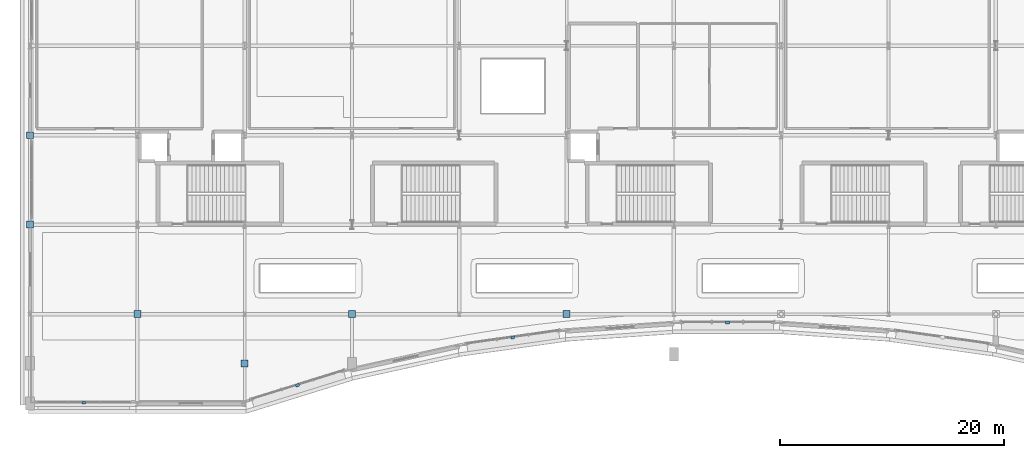
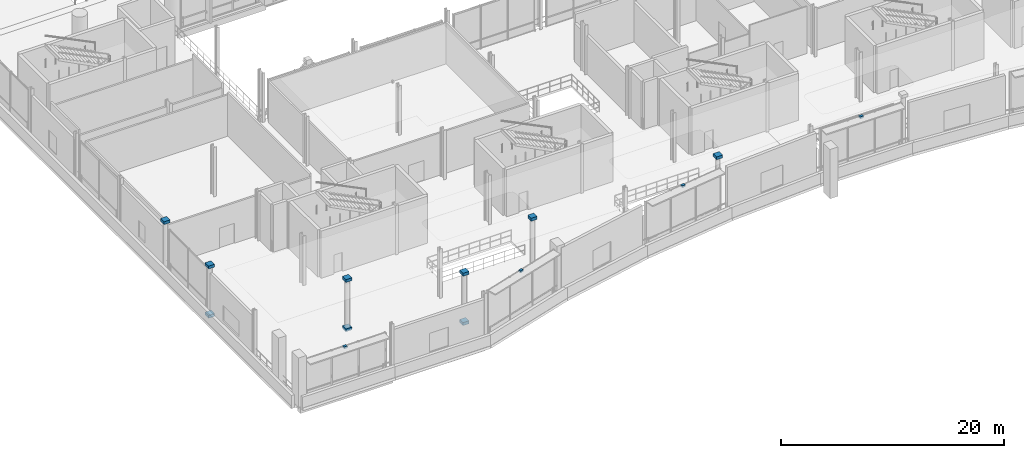
# One storey, part 89 of 129: 13 discrete accessories.
"""IFC4 building model written with IfcOpenShell, lengths in metres."""

from ifc_helpers import new_model, si_unit, direction, frame, origin, origin_2d, place, context, subcontext, project, spatial, rectangle, extrude, material, type_object, element, save


model = new_model("IFC4")

# Units and contexts
model_context = context("Model", 3, precision=1e-05, world=origin(), true_north=direction((0.0, 1.0)))
body_context = subcontext(model_context, "Body", "Model", "MODEL_VIEW")
ifc_project = project(units=[si_unit("LENGTHUNIT", "METRE"), si_unit("AREAUNIT", "SQUARE_METRE"), si_unit("VOLUMEUNIT", "CUBIC_METRE"), si_unit("PLANEANGLEUNIT", "RADIAN"), si_unit("MASSUNIT", "GRAM", prefix="KILO")], contexts=[model_context])

# Site, building, storey
site_placement = place(None, origin())
site = spatial("IfcSite", under=ifc_project, at=site_placement, CompositionType="ELEMENT")
building_placement = place(site_placement, origin())
building = spatial("IfcBuilding", under=site, at=building_placement, Name="Danafjord Basin Convention Centre", CompositionType="ELEMENT")
storey_placement = place(building_placement, frame((0.0, 0.0, 6.0)))
storey = spatial("IfcBuildingStorey", under=building, at=storey_placement, Name="L01", CompositionType="ELEMENT", Elevation=6.0)

# Discrete accessories
ifc_material_1 = material(Name="Stainless steel EN 1.4404", Category="steel")
discrete_accessory_type_1 = type_object("IfcDiscreteAccessoryType", Name="ACC-FIN-BRK", PredefinedType="BRACKET", material=ifc_material_1)
for number, where, z_axis, x_axis, name in (
    (1, (4.800048828125, 0.070068359375, 4.31005859375), (0.0, 0.0, 1.0), (1.0, 0.0, 0.0), "Sunshade tie-back bracket"),
    (2, (23.927978515625, 1.63720703125, 4.97998046875), (0.0, 0.0, 1.0), (0.955044712757, 0.296461796249, 0.0), "Sunshade tie-back bracket"),
    (3, (43.1806640625, 5.90966796875, 4.97998046875), (0.0, 0.0, 1.0), (0.990128157327, 0.140165017276, 0.0), "Sunshade tie-back bracket"),
    (4, (62.39990234375, 7.25, 4.97998046875), (0.0, 0.0, 1.0), (1.0, 0.0, 0.0), "Sunshade tie-back bracket"),
):
    element("IfcDiscreteAccessory", number, at=place(storey_placement, frame(where, z_axis=z_axis, x_axis=x_axis)), inside=storey, type_object=discrete_accessory_type_1, Name=name, PredefinedType="BRACKET", context=body_context, shape_type="SweptSolid", body=[
        extrude(rectangle(XDim=0.340087890625, YDim=0.260009765625, at=origin_2d()), origin(), (0.0, 0.0, 1.0), 0.219970703125),
    ])
ifc_material_2 = material(Name="Steel S355", Category="steel")
discrete_accessory_type_2 = type_object("IfcDiscreteAccessoryType", Name="ACC-SF-HUB", PredefinedType="BRACKET", material=ifc_material_2)
for number, where, z_axis, x_axis, name in (
    (5, (0.0, 16.0, -0.16015625), (0.0, 0.0, 1.0), (1.0, 0.0, 0.0), "Tubular steel column transition collar"),
    (6, (0.0, 16.0, 5.23974609375), (0.0, 0.0, 1.0), (1.0, 0.0, 0.0), "Tubular steel column top cap plate"),
    (7, (0.0, 24.0, 5.23974609375), (0.0, 0.0, 1.0), (1.0, 0.0, 0.0), "Tubular steel column top cap plate"),
    (8, (9.60009765625, 8.0, -0.16015625), (0.0, 0.0, 1.0), (1.0, 0.0, 0.0), "Tubular steel column transition collar"),
    (9, (9.60009765625, 8.0, 5.23974609375), (0.0, 0.0, 1.0), (1.0, 0.0, 0.0), "Tubular steel column top cap plate"),
    (10, (28.800048828125, 8.0, 5.23974609375), (0.0, 0.0, 1.0), (1.0, 0.0, 0.0), "Tubular steel column top cap plate"),
    (11, (48.0, 8.0, 5.23974609375), (0.0, 0.0, 1.0), (1.0, 0.0, 0.0), "Tubular steel column top cap plate"),
    (12, (19.199951171875, 3.60009765625, -0.16015625), (0.0, 0.0, 1.0), (1.0, 0.0, 0.0), "Tubular steel column transition collar"),
    (13, (19.199951171875, 3.60009765625, 5.23974609375), (0.0, 0.0, 1.0), (1.0, 0.0, 0.0), "Tubular steel column top cap plate"),
):
    element("IfcDiscreteAccessory", number, at=place(storey_placement, frame(where, z_axis=z_axis, x_axis=x_axis)), inside=storey, type_object=discrete_accessory_type_2, Name=name, PredefinedType="BRACKET", context=body_context, shape_type="SweptSolid", body=[
        extrude(rectangle(XDim=0.6201171875, YDim=0.6201171875, at=origin_2d()), origin(), (0.0, 0.0, 1.0), 0.320068359375),
    ])

save(model, "model.ifc")
